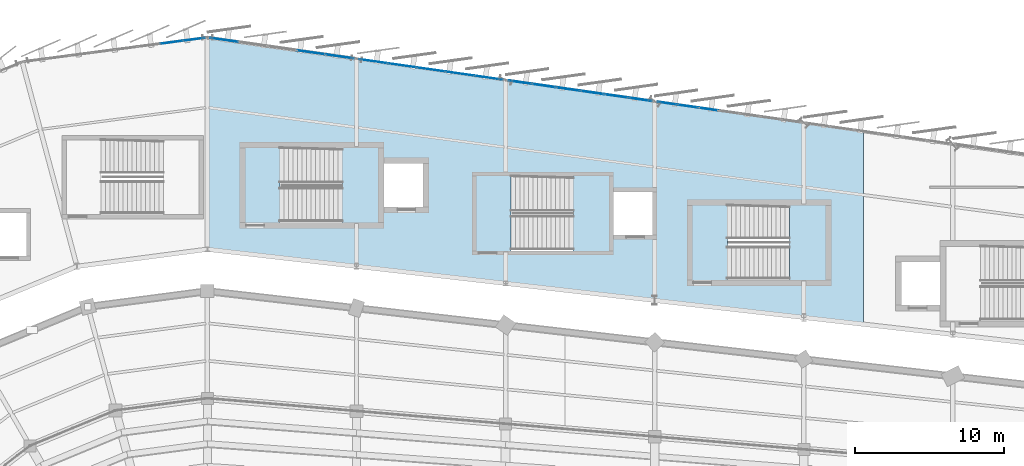
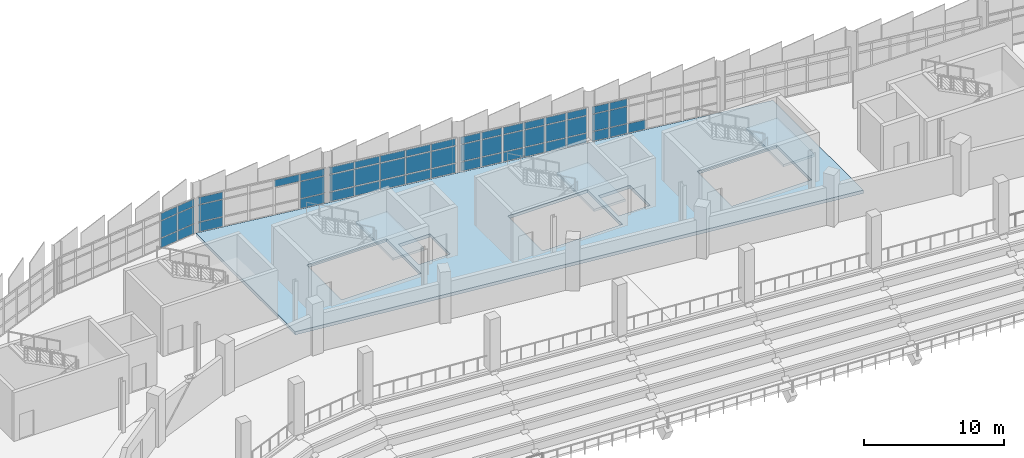
# One storey, part 95 of 134: 53 plates, 4 slabs, 8 elements without a shape of their own.
"""IFC4 building model written with IfcOpenShell, lengths in metres."""

from ifc_helpers import new_model, si_unit, direction, frame, origin, origin_2d, place, context, subcontext, project, spatial, polyline, rectangle, outline, extrude, material, layer, layer_set, type_object, element, aggregate, save


model = new_model("IFC4")

# Units and contexts
model_context = context("Model", 3, precision=1e-05, world=origin(), true_north=direction((0.0, 1.0)))
body_context = subcontext(model_context, "Body", "Model", "MODEL_VIEW")
ifc_project = project(units=[si_unit("LENGTHUNIT", "METRE"), si_unit("AREAUNIT", "SQUARE_METRE"), si_unit("VOLUMEUNIT", "CUBIC_METRE"), si_unit("PLANEANGLEUNIT", "RADIAN"), si_unit("MASSUNIT", "GRAM", prefix="KILO")], contexts=[model_context])

# Site, building, storey
site_placement = place(None, origin())
site = spatial("IfcSite", under=ifc_project, at=site_placement, CompositionType="ELEMENT")
building_placement = place(site_placement, origin())
building = spatial("IfcBuilding", under=site, at=building_placement, Name="Sohan Crest Arena", CompositionType="ELEMENT")
storey_placement = place(building_placement, frame((0.0, 0.0, 4.5)))
storey = spatial("IfcBuildingStorey", under=building, at=storey_placement, Name="L01", CompositionType="ELEMENT", Elevation=4.5)

# Curtain wall, plates
ifc_material_1 = material(Name="Thermally broken anodised aluminium", Category="aluminium")
ifc_layer_1 = layer(ifc_material_1, 0.179931640625, Name="Thermally broken anodised aluminium")
ifc_layer_set_1 = layer_set([ifc_layer_1], Name="Thermally broken anodised aluminium")
curtain_wall_type_1 = type_object("IfcCurtainWallType", Name="ARC-CW01", PredefinedType="NOTDEFINED", material=ifc_layer_set_1)
curtain_wall_1_placement = place(storey_placement, origin())
curtain_wall_1 = element("IfcCurtainWall", 1, at=curtain_wall_1_placement, inside=storey, type_object=curtain_wall_type_1, Name="Unitised curtain wall CW-020", PredefinedType="NOTDEFINED")
ifc_material_2 = material(Name="Low-E double-glazed insulated glass", Category="glass")
ifc_layer_2 = layer(ifc_material_2, 0.028076171875, Name="Low-E double-glazed insulated glass")
ifc_layer_set_2 = layer_set([ifc_layer_2], Name="Low-E double-glazed insulated glass")
plate_type_1 = type_object("IfcPlateType", Name="ARC-CNP01", PredefinedType="CURTAIN_PANEL", material=ifc_layer_set_2)
plate_1_placement = place(storey_placement, frame((97.095703125, 125.880859375, 0.06005859375), z_axis=(0.0, 0.0, 1.0), x_axis=(-0.991440142438, -0.130562031094, 0.0)))
plate_1 = element("IfcPlate", 2, at=plate_1_placement, type_object=plate_type_1, Name="CW-020 panel 1.1", PredefinedType="CURTAIN_PANEL", context=body_context, shape_type="SweptSolid", body=[
    extrude(rectangle(XDim=1.44384765625, YDim=0.028076171875, at=origin_2d()), origin(), (0.0, 0.0, 1.0), 0.81005859375),
])
plate_2_placement = place(storey_placement, frame((97.095703125, 125.880859375, 0.929931640625), z_axis=(0.0, 0.0, 1.0), x_axis=(-0.991440142438, -0.130562031094, 0.0)))
plate_2 = element("IfcPlate", 3, at=plate_2_placement, type_object=plate_type_1, Name="CW-020 panel 1.2", PredefinedType="CURTAIN_PANEL", context=body_context, shape_type="SweptSolid", body=[
    extrude(rectangle(XDim=1.44384765625, YDim=0.028076171875, at=origin_2d()), origin(), (0.0, 0.0, 1.0), 1.4599609375),
])
plate_3_placement = place(storey_placement, frame((97.095703125, 125.880859375, 2.44970703125), z_axis=(0.0, 0.0, 1.0), x_axis=(-0.991440142438, -0.130562031094, 0.0)))
plate_3 = element("IfcPlate", 4, at=plate_3_placement, type_object=plate_type_1, Name="CW-020 panel 1.3", PredefinedType="CURTAIN_PANEL", context=body_context, shape_type="SweptSolid", body=[
    extrude(rectangle(XDim=1.44384765625, YDim=0.028076171875, at=origin_2d()), origin(), (0.0, 0.0, 1.0), 0.610107421875),
])
plate_4_placement = place(storey_placement, frame((95.590087890625, 125.6826171875, 0.06005859375), z_axis=(0.0, 0.0, 1.0), x_axis=(-0.991440142438, -0.130562031094, 0.0)))
plate_4 = element("IfcPlate", 5, at=plate_4_placement, type_object=plate_type_1, Name="CW-020 panel 2.1", PredefinedType="CURTAIN_PANEL", context=body_context, shape_type="SweptSolid", body=[
    extrude(rectangle(XDim=1.4736328125, YDim=0.028076171875, at=origin_2d()), origin(), (0.0, 0.0, 1.0), 0.81005859375),
])
plate_5_placement = place(storey_placement, frame((95.590087890625, 125.6826171875, 0.929931640625), z_axis=(0.0, 0.0, 1.0), x_axis=(-0.991440142438, -0.130562031094, 0.0)))
plate_5 = element("IfcPlate", 6, at=plate_5_placement, type_object=plate_type_1, Name="CW-020 panel 2.2", PredefinedType="CURTAIN_PANEL", context=body_context, shape_type="SweptSolid", body=[
    extrude(rectangle(XDim=1.4736328125, YDim=0.028076171875, at=origin_2d()), origin(), (0.0, 0.0, 1.0), 1.4599609375),
])
plate_6_placement = place(storey_placement, frame((95.590087890625, 125.6826171875, 2.44970703125), z_axis=(0.0, 0.0, 1.0), x_axis=(-0.991440142438, -0.130562031094, 0.0)))
plate_6 = element("IfcPlate", 7, at=plate_6_placement, type_object=plate_type_1, Name="CW-020 panel 2.3", PredefinedType="CURTAIN_PANEL", context=body_context, shape_type="SweptSolid", body=[
    extrude(rectangle(XDim=1.4736328125, YDim=0.028076171875, at=origin_2d()), origin(), (0.0, 0.0, 1.0), 0.610107421875),
])
aggregate(curtain_wall_1, [plate_1, plate_2, plate_3, plate_4, plate_5, plate_6])

ifc_layer_3 = layer(ifc_material_1, 0.219970703125, Name="Thermally broken anodised aluminium")
ifc_layer_set_3 = layer_set([ifc_layer_3], Name="Thermally broken anodised aluminium")
curtain_wall_type_2 = type_object("IfcCurtainWallType", Name="ARC-CW03", PredefinedType="NOTDEFINED", material=ifc_layer_set_3)
curtain_wall_2_placement = place(storey_placement, origin())
curtain_wall_2 = element("IfcCurtainWall", 8, at=curtain_wall_2_placement, inside=storey, type_object=curtain_wall_type_2, Name="Unitised curtain wall CW-048", PredefinedType="NOTDEFINED")
plate_7_placement = place(storey_placement, frame((116.8818359375, 123.30224609375, 0.070068359375), z_axis=(0.0, 0.0, 1.0), x_axis=(-0.989945428602, 0.141449808729, 0.0)))
plate_7 = element("IfcPlate", 9, at=plate_7_placement, type_object=plate_type_1, Name="CW-048 panel 1.1", PredefinedType="CURTAIN_PANEL", context=body_context, shape_type="SweptSolid", body=[
    extrude(rectangle(XDim=1.878173828125, YDim=0.028076171875, at=origin_2d()), origin(), (0.0, 0.0, 1.0), 0.794921875),
])
plate_8_placement = place(storey_placement, frame((116.8818359375, 123.30224609375, 0.93505859375), z_axis=(0.0, 0.0, 1.0), x_axis=(-0.989945428602, 0.141449808729, 0.0)))
plate_8 = element("IfcPlate", 10, at=plate_8_placement, type_object=plate_type_1, Name="CW-048 panel 1.2", PredefinedType="CURTAIN_PANEL", context=body_context, shape_type="SweptSolid", body=[
    extrude(rectangle(XDim=1.878173828125, YDim=0.028076171875, at=origin_2d()), origin(), (0.0, 0.0, 1.0), 1.449951171875),
])
plate_9_placement = place(storey_placement, frame((116.8818359375, 123.30224609375, 2.455078125), z_axis=(0.0, 0.0, 1.0), x_axis=(-0.989945428602, 0.141449808729, 0.0)))
plate_9 = element("IfcPlate", 11, at=plate_9_placement, type_object=plate_type_1, Name="CW-048 panel 1.3", PredefinedType="CURTAIN_PANEL", context=body_context, shape_type="SweptSolid", body=[
    extrude(rectangle(XDim=1.878173828125, YDim=0.028076171875, at=origin_2d()), origin(), (0.0, 0.0, 1.0), 0.594970703125),
])
plate_10_placement = place(storey_placement, frame((114.948486328125, 123.57861328125, 0.070068359375), z_axis=(0.0, 0.0, 1.0), x_axis=(-0.989945428602, 0.141449808729, 0.0)))
plate_10 = element("IfcPlate", 12, at=plate_10_placement, type_object=plate_type_1, Name="CW-048 panel 2.1", PredefinedType="CURTAIN_PANEL", context=body_context, shape_type="SweptSolid", body=[
    extrude(rectangle(XDim=1.908203125, YDim=0.028076171875, at=origin_2d()), origin(), (0.0, 0.0, 1.0), 0.794921875),
])
plate_11_placement = place(storey_placement, frame((114.948486328125, 123.57861328125, 0.93505859375), z_axis=(0.0, 0.0, 1.0), x_axis=(-0.989945428602, 0.141449808729, 0.0)))
plate_11 = element("IfcPlate", 13, at=plate_11_placement, type_object=plate_type_1, Name="CW-048 panel 2.2", PredefinedType="CURTAIN_PANEL", context=body_context, shape_type="SweptSolid", body=[
    extrude(rectangle(XDim=1.908203125, YDim=0.028076171875, at=origin_2d()), origin(), (0.0, 0.0, 1.0), 1.449951171875),
])
plate_12_placement = place(storey_placement, frame((114.948486328125, 123.57861328125, 2.455078125), z_axis=(0.0, 0.0, 1.0), x_axis=(-0.989945428602, 0.141449808729, 0.0)))
plate_12 = element("IfcPlate", 14, at=plate_12_placement, type_object=plate_type_1, Name="CW-048 panel 2.3", PredefinedType="CURTAIN_PANEL", context=body_context, shape_type="SweptSolid", body=[
    extrude(rectangle(XDim=1.908203125, YDim=0.028076171875, at=origin_2d()), origin(), (0.0, 0.0, 1.0), 0.594970703125),
])
plate_13_placement = place(storey_placement, frame((113.0, 123.85693359375, 0.070068359375), z_axis=(0.0, 0.0, 1.0), x_axis=(-0.989945428602, 0.141449808729, 0.0)))
plate_13 = element("IfcPlate", 15, at=plate_13_placement, type_object=plate_type_1, Name="CW-048 panel 3.1", PredefinedType="CURTAIN_PANEL", context=body_context, shape_type="SweptSolid", body=[
    extrude(rectangle(XDim=1.908203125, YDim=0.028076171875, at=origin_2d()), origin(), (0.0, 0.0, 1.0), 0.794921875),
])
plate_14_placement = place(storey_placement, frame((113.0, 123.85693359375, 0.93505859375), z_axis=(0.0, 0.0, 1.0), x_axis=(-0.989945428602, 0.141449808729, 0.0)))
plate_14 = element("IfcPlate", 16, at=plate_14_placement, type_object=plate_type_1, Name="CW-048 panel 3.2", PredefinedType="CURTAIN_PANEL", context=body_context, shape_type="SweptSolid", body=[
    extrude(rectangle(XDim=1.908203125, YDim=0.028076171875, at=origin_2d()), origin(), (0.0, 0.0, 1.0), 1.449951171875),
])
plate_15_placement = place(storey_placement, frame((113.0, 123.85693359375, 2.455078125), z_axis=(0.0, 0.0, 1.0), x_axis=(-0.989945428602, 0.141449808729, 0.0)))
plate_15 = element("IfcPlate", 17, at=plate_15_placement, type_object=plate_type_1, Name="CW-048 panel 3.3", PredefinedType="CURTAIN_PANEL", context=body_context, shape_type="SweptSolid", body=[
    extrude(rectangle(XDim=1.908203125, YDim=0.028076171875, at=origin_2d()), origin(), (0.0, 0.0, 1.0), 0.594970703125),
])
plate_16_placement = place(storey_placement, frame((111.051513671875, 124.135498046875, 0.070068359375), z_axis=(0.0, 0.0, 1.0), x_axis=(-0.989945428602, 0.141449808729, 0.0)))
plate_16 = element("IfcPlate", 18, at=plate_16_placement, type_object=plate_type_1, Name="CW-048 panel 4.1", PredefinedType="CURTAIN_PANEL", context=body_context, shape_type="SweptSolid", body=[
    extrude(rectangle(XDim=1.908203125, YDim=0.028076171875, at=origin_2d()), origin(), (0.0, 0.0, 1.0), 0.794921875),
])
plate_17_placement = place(storey_placement, frame((111.051513671875, 124.135498046875, 0.93505859375), z_axis=(0.0, 0.0, 1.0), x_axis=(-0.989945428602, 0.141449808729, 0.0)))
plate_17 = element("IfcPlate", 19, at=plate_17_placement, type_object=plate_type_1, Name="CW-048 panel 4.2", PredefinedType="CURTAIN_PANEL", context=body_context, shape_type="SweptSolid", body=[
    extrude(rectangle(XDim=1.908203125, YDim=0.028076171875, at=origin_2d()), origin(), (0.0, 0.0, 1.0), 1.449951171875),
])
plate_18_placement = place(storey_placement, frame((111.051513671875, 124.135498046875, 2.455078125), z_axis=(0.0, 0.0, 1.0), x_axis=(-0.989945428602, 0.141449808729, 0.0)))
plate_18 = element("IfcPlate", 20, at=plate_18_placement, type_object=plate_type_1, Name="CW-048 panel 4.3", PredefinedType="CURTAIN_PANEL", context=body_context, shape_type="SweptSolid", body=[
    extrude(rectangle(XDim=1.908203125, YDim=0.028076171875, at=origin_2d()), origin(), (0.0, 0.0, 1.0), 0.594970703125),
])
plate_19_placement = place(storey_placement, frame((109.1181640625, 124.41162109375, 0.070068359375), z_axis=(0.0, 0.0, 1.0), x_axis=(-0.989945428602, 0.141449808729, 0.0)))
plate_19 = element("IfcPlate", 21, at=plate_19_placement, type_object=plate_type_1, Name="CW-048 panel 5.1", PredefinedType="CURTAIN_PANEL", context=body_context, shape_type="SweptSolid", body=[
    extrude(rectangle(XDim=1.878173828125, YDim=0.028076171875, at=origin_2d()), origin(), (0.0, 0.0, 1.0), 0.794921875),
])
plate_20_placement = place(storey_placement, frame((109.1181640625, 124.41162109375, 0.93505859375), z_axis=(0.0, 0.0, 1.0), x_axis=(-0.989945428602, 0.141449808729, 0.0)))
plate_20 = element("IfcPlate", 22, at=plate_20_placement, type_object=plate_type_1, Name="CW-048 panel 5.2", PredefinedType="CURTAIN_PANEL", context=body_context, shape_type="SweptSolid", body=[
    extrude(rectangle(XDim=1.878173828125, YDim=0.028076171875, at=origin_2d()), origin(), (0.0, 0.0, 1.0), 1.449951171875),
])
plate_21_placement = place(storey_placement, frame((109.1181640625, 124.41162109375, 2.455078125), z_axis=(0.0, 0.0, 1.0), x_axis=(-0.989945428602, 0.141449808729, 0.0)))
plate_21 = element("IfcPlate", 23, at=plate_21_placement, type_object=plate_type_1, Name="CW-048 panel 5.3", PredefinedType="CURTAIN_PANEL", context=body_context, shape_type="SweptSolid", body=[
    extrude(rectangle(XDim=1.878173828125, YDim=0.028076171875, at=origin_2d()), origin(), (0.0, 0.0, 1.0), 0.594970703125),
])
aggregate(curtain_wall_2, [plate_7, plate_8, plate_9, plate_10, plate_11, plate_12, plate_13, plate_14, plate_15, plate_16, plate_17, plate_18, plate_19, plate_20, plate_21])

ifc_layer_4 = layer(ifc_material_1, 0.239990234375, Name="Thermally broken anodised aluminium")
ifc_layer_set_4 = layer_set([ifc_layer_4], Name="Thermally broken anodised aluminium")
curtain_wall_type_3 = type_object("IfcCurtainWallType", Name="ARC-CW04", PredefinedType="NOTDEFINED", material=ifc_layer_set_4)
curtain_wall_3_placement = place(storey_placement, origin())
curtain_wall_3 = element("IfcCurtainWall", 24, at=curtain_wall_3_placement, inside=storey, type_object=curtain_wall_type_3, Name="Unitised curtain wall CW-049", PredefinedType="NOTDEFINED")
ifc_layer_5 = layer(ifc_material_2, 0.031982421875, Name="Low-E double-glazed insulated glass")
ifc_layer_set_5 = layer_set([ifc_layer_5], Name="Low-E double-glazed insulated glass")
plate_type_2 = type_object("IfcPlateType", Name="ARC-CNP02", PredefinedType="CURTAIN_PANEL", material=ifc_layer_set_5)
plate_22_placement = place(storey_placement, frame((106.880615234375, 124.730712890625, 0.06005859375), z_axis=(0.0, 0.0, 1.0), x_axis=(-0.989931194722, 0.141549389674, 0.0)))
plate_22 = element("IfcPlate", 25, at=plate_22_placement, type_object=plate_type_2, Name="CW-049 panel 1.1", PredefinedType="CURTAIN_PANEL", context=body_context, shape_type="SweptSolid", body=[
    extrude(rectangle(XDim=1.87060546875, YDim=0.031982421875, at=origin_2d()), origin(), (0.0, 0.0, 1.0), 0.81005859375),
])
plate_23_placement = place(storey_placement, frame((106.880615234375, 124.730712890625, 0.929931640625), z_axis=(0.0, 0.0, 1.0), x_axis=(-0.989931194722, 0.141549389674, 0.0)))
plate_23 = element("IfcPlate", 26, at=plate_23_placement, type_object=plate_type_2, Name="CW-049 panel 1.2", PredefinedType="CURTAIN_PANEL", context=body_context, shape_type="SweptSolid", body=[
    extrude(rectangle(XDim=1.87060546875, YDim=0.031982421875, at=origin_2d()), origin(), (0.0, 0.0, 1.0), 1.4599609375),
])
plate_24_placement = place(storey_placement, frame((106.880615234375, 124.730712890625, 2.44970703125), z_axis=(0.0, 0.0, 1.0), x_axis=(-0.989931194722, 0.141549389674, 0.0)))
plate_24 = element("IfcPlate", 27, at=plate_24_placement, type_object=plate_type_2, Name="CW-049 panel 1.3", PredefinedType="CURTAIN_PANEL", context=body_context, shape_type="SweptSolid", body=[
    extrude(rectangle(XDim=1.87060546875, YDim=0.031982421875, at=origin_2d()), origin(), (0.0, 0.0, 1.0), 0.610107421875),
])
plate_25_placement = place(storey_placement, frame((104.948486328125, 125.0068359375, 2.44970703125), z_axis=(0.0, 0.0, 1.0), x_axis=(-0.989931194722, 0.141549389674, 0.0)))
plate_25 = element("IfcPlate", 28, at=plate_25_placement, type_object=plate_type_2, Name="CW-049 panel 2.3", PredefinedType="CURTAIN_PANEL", context=body_context, shape_type="SweptSolid", body=[
    extrude(rectangle(XDim=1.9033203125, YDim=0.031982421875, at=origin_2d()), origin(), (0.0, 0.0, 1.0), 0.610107421875),
])
plate_26_placement = place(storey_placement, frame((99.119384765625, 125.84033203125, 0.06005859375), z_axis=(0.0, 0.0, 1.0), x_axis=(-0.989931194722, 0.141549389674, 0.0)))
plate_26 = element("IfcPlate", 29, at=plate_26_placement, type_object=plate_type_2, Name="CW-049 panel 5.1", PredefinedType="CURTAIN_PANEL", context=body_context, shape_type="SweptSolid", body=[
    extrude(rectangle(XDim=1.87060546875, YDim=0.031982421875, at=origin_2d()), origin(), (0.0, 0.0, 1.0), 0.81005859375),
])
plate_27_placement = place(storey_placement, frame((99.119384765625, 125.84033203125, 0.929931640625), z_axis=(0.0, 0.0, 1.0), x_axis=(-0.989931194722, 0.141549389674, 0.0)))
plate_27 = element("IfcPlate", 30, at=plate_27_placement, type_object=plate_type_2, Name="CW-049 panel 5.2", PredefinedType="CURTAIN_PANEL", context=body_context, shape_type="SweptSolid", body=[
    extrude(rectangle(XDim=1.87060546875, YDim=0.031982421875, at=origin_2d()), origin(), (0.0, 0.0, 1.0), 1.4599609375),
])
plate_28_placement = place(storey_placement, frame((99.119384765625, 125.84033203125, 2.44970703125), z_axis=(0.0, 0.0, 1.0), x_axis=(-0.989931194722, 0.141549389674, 0.0)))
plate_28 = element("IfcPlate", 31, at=plate_28_placement, type_object=plate_type_2, Name="CW-049 panel 5.3", PredefinedType="CURTAIN_PANEL", context=body_context, shape_type="SweptSolid", body=[
    extrude(rectangle(XDim=1.87060546875, YDim=0.031982421875, at=origin_2d()), origin(), (0.0, 0.0, 1.0), 0.610107421875),
])
aggregate(curtain_wall_3, [plate_22, plate_23, plate_24, plate_25, plate_26, plate_27, plate_28])

curtain_wall_4_placement = place(storey_placement, origin())
curtain_wall_4 = element("IfcCurtainWall", 32, at=curtain_wall_4_placement, inside=storey, type_object=curtain_wall_type_1, Name="Unitised curtain wall CW-046", PredefinedType="NOTDEFINED")
ifc_material_3 = material(Name="Ceramic-fritted solar-control insulated glass", Category="glass")
ifc_layer_6 = layer(ifc_material_3, 0.035888671875, Name="Ceramic-fritted solar-control insulated glass")
ifc_layer_set_6 = layer_set([ifc_layer_6], Name="Ceramic-fritted solar-control insulated glass")
plate_type_3 = type_object("IfcPlateType", Name="ARC-CNP03", PredefinedType="CURTAIN_PANEL", material=ifc_layer_set_6)
plate_29_placement = place(storey_placement, frame((131.6083984375, 121.198974609375, 0.06005859375), z_axis=(0.0, 0.0, 1.0), x_axis=(-0.989945428602, 0.141449808729, 0.0)))
plate_29 = element("IfcPlate", 33, at=plate_29_placement, type_object=plate_type_3, Name="CW-046 panel 5.1", PredefinedType="CURTAIN_PANEL", context=body_context, shape_type="SweptSolid", body=[
    extrude(rectangle(XDim=1.3359375, YDim=0.035888671875, at=origin_2d()), origin(), (0.0, 0.0, 1.0), 0.81005859375),
])
plate_30_placement = place(storey_placement, frame((130.216552734375, 121.397705078125, 0.06005859375), z_axis=(0.0, 0.0, 1.0), x_axis=(-0.989945428602, 0.141449808729, 0.0)))
plate_30 = element("IfcPlate", 34, at=plate_30_placement, type_object=plate_type_3, Name="CW-046 panel 6.1", PredefinedType="CURTAIN_PANEL", context=body_context, shape_type="SweptSolid", body=[
    extrude(rectangle(XDim=1.3359375, YDim=0.035888671875, at=origin_2d()), origin(), (0.0, 0.0, 1.0), 0.81005859375),
])
plate_31_placement = place(storey_placement, frame((130.216552734375, 121.397705078125, 0.929931640625), z_axis=(0.0, 0.0, 1.0), x_axis=(-0.989945428602, 0.141449808729, 0.0)))
plate_31 = element("IfcPlate", 35, at=plate_31_placement, type_object=plate_type_3, Name="CW-046 panel 6.2", PredefinedType="CURTAIN_PANEL", context=body_context, shape_type="SweptSolid", body=[
    extrude(rectangle(XDim=1.3359375, YDim=0.035888671875, at=origin_2d()), origin(), (0.0, 0.0, 1.0), 1.4599609375),
])
plate_32_placement = place(storey_placement, frame((130.216552734375, 121.397705078125, 2.44970703125), z_axis=(0.0, 0.0, 1.0), x_axis=(-0.989945428602, 0.141449808729, 0.0)))
plate_32 = element("IfcPlate", 36, at=plate_32_placement, type_object=plate_type_3, Name="CW-046 panel 6.3", PredefinedType="CURTAIN_PANEL", context=body_context, shape_type="SweptSolid", body=[
    extrude(rectangle(XDim=1.3359375, YDim=0.035888671875, at=origin_2d()), origin(), (0.0, 0.0, 1.0), 0.610107421875),
])
plate_33_placement = place(storey_placement, frame((128.84228515625, 121.593994140625, 0.06005859375), z_axis=(0.0, 0.0, 1.0), x_axis=(-0.989945428602, 0.141449808729, 0.0)))
plate_33 = element("IfcPlate", 37, at=plate_33_placement, type_object=plate_type_3, Name="CW-046 panel 7.1", PredefinedType="CURTAIN_PANEL", context=body_context, shape_type="SweptSolid", body=[
    extrude(rectangle(XDim=1.30078125, YDim=0.035888671875, at=origin_2d()), origin(), (0.0, 0.0, 1.0), 0.81005859375),
])
plate_34_placement = place(storey_placement, frame((128.84228515625, 121.593994140625, 0.929931640625), z_axis=(0.0, 0.0, 1.0), x_axis=(-0.989945428602, 0.141449808729, 0.0)))
plate_34 = element("IfcPlate", 38, at=plate_34_placement, type_object=plate_type_3, Name="CW-046 panel 7.2", PredefinedType="CURTAIN_PANEL", context=body_context, shape_type="SweptSolid", body=[
    extrude(rectangle(XDim=1.30078125, YDim=0.035888671875, at=origin_2d()), origin(), (0.0, 0.0, 1.0), 1.4599609375),
])
plate_35_placement = place(storey_placement, frame((128.84228515625, 121.593994140625, 2.44970703125), z_axis=(0.0, 0.0, 1.0), x_axis=(-0.989945428602, 0.141449808729, 0.0)))
plate_35 = element("IfcPlate", 39, at=plate_35_placement, type_object=plate_type_3, Name="CW-046 panel 7.3", PredefinedType="CURTAIN_PANEL", context=body_context, shape_type="SweptSolid", body=[
    extrude(rectangle(XDim=1.30078125, YDim=0.035888671875, at=origin_2d()), origin(), (0.0, 0.0, 1.0), 0.610107421875),
])
aggregate(curtain_wall_4, [plate_29, plate_30, plate_31, plate_32, plate_33, plate_34, plate_35])

ifc_layer_7 = layer(ifc_material_1, 0.199951171875, Name="Thermally broken anodised aluminium")
ifc_layer_set_7 = layer_set([ifc_layer_7], Name="Thermally broken anodised aluminium")
curtain_wall_type_4 = type_object("IfcCurtainWallType", Name="ARC-CW02", PredefinedType="NOTDEFINED", material=ifc_layer_set_7)
curtain_wall_5_placement = place(storey_placement, origin())
curtain_wall_5 = element("IfcCurtainWall", 40, at=curtain_wall_5_placement, inside=storey, type_object=curtain_wall_type_4, Name="Unitised curtain wall CW-047", PredefinedType="NOTDEFINED")
ifc_material_4 = material(Name="Insulated polychrome ceramic spandrel panel", Category="masonry")
ifc_layer_8 = layer(ifc_material_4, 0.0419921875, Name="Insulated polychrome ceramic spandrel panel")
ifc_layer_set_8 = layer_set([ifc_layer_8], Name="Insulated polychrome ceramic spandrel panel")
plate_type_4 = type_object("IfcPlateType", Name="ARC-CNP04", PredefinedType="CURTAIN_PANEL", material=ifc_layer_set_8)
plate_36_placement = place(storey_placement, frame((127.04052734375, 121.850830078125, 0.06494140625), z_axis=(0.0, 0.0, 1.0), x_axis=(-0.989931194722, 0.141549389674, 0.0)))
plate_36 = element("IfcPlate", 41, at=plate_36_placement, type_object=plate_type_4, Name="CW-047 panel 1.1", PredefinedType="CURTAIN_PANEL", context=body_context, shape_type="SweptSolid", body=[
    extrude(rectangle(XDim=1.527587890625, YDim=0.0419921875, at=origin_2d()), origin(), (0.0, 0.0, 1.0), 0.802490234375),
])
plate_37_placement = place(storey_placement, frame((127.04052734375, 121.850830078125, 0.932373046875), z_axis=(0.0, 0.0, 1.0), x_axis=(-0.989931194722, 0.141549389674, 0.0)))
plate_37 = element("IfcPlate", 42, at=plate_37_placement, type_object=plate_type_4, Name="CW-047 panel 1.2", PredefinedType="CURTAIN_PANEL", context=body_context, shape_type="SweptSolid", body=[
    extrude(rectangle(XDim=1.527587890625, YDim=0.0419921875, at=origin_2d()), origin(), (0.0, 0.0, 1.0), 1.455078125),
])
plate_38_placement = place(storey_placement, frame((127.04052734375, 121.850830078125, 2.452392578125), z_axis=(0.0, 0.0, 1.0), x_axis=(-0.989931194722, 0.141549389674, 0.0)))
plate_38 = element("IfcPlate", 43, at=plate_38_placement, type_object=plate_type_4, Name="CW-047 panel 1.3", PredefinedType="CURTAIN_PANEL", context=body_context, shape_type="SweptSolid", body=[
    extrude(rectangle(XDim=1.527587890625, YDim=0.0419921875, at=origin_2d()), origin(), (0.0, 0.0, 1.0), 0.6025390625),
])
plate_39_placement = place(storey_placement, frame((125.435546875, 122.080322265625, 0.06494140625), z_axis=(0.0, 0.0, 1.0), x_axis=(-0.989931194722, 0.141549389674, 0.0)))
plate_39 = element("IfcPlate", 44, at=plate_39_placement, type_object=plate_type_4, Name="CW-047 panel 2.1", PredefinedType="CURTAIN_PANEL", context=body_context, shape_type="SweptSolid", body=[
    extrude(rectangle(XDim=1.565185546875, YDim=0.0419921875, at=origin_2d()), origin(), (0.0, 0.0, 1.0), 0.802490234375),
])
plate_40_placement = place(storey_placement, frame((125.435546875, 122.080322265625, 0.932373046875), z_axis=(0.0, 0.0, 1.0), x_axis=(-0.989931194722, 0.141549389674, 0.0)))
plate_40 = element("IfcPlate", 45, at=plate_40_placement, type_object=plate_type_4, Name="CW-047 panel 2.2", PredefinedType="CURTAIN_PANEL", context=body_context, shape_type="SweptSolid", body=[
    extrude(rectangle(XDim=1.565185546875, YDim=0.0419921875, at=origin_2d()), origin(), (0.0, 0.0, 1.0), 1.455078125),
])
plate_41_placement = place(storey_placement, frame((125.435546875, 122.080322265625, 2.452392578125), z_axis=(0.0, 0.0, 1.0), x_axis=(-0.989931194722, 0.141549389674, 0.0)))
plate_41 = element("IfcPlate", 46, at=plate_41_placement, type_object=plate_type_4, Name="CW-047 panel 2.3", PredefinedType="CURTAIN_PANEL", context=body_context, shape_type="SweptSolid", body=[
    extrude(rectangle(XDim=1.565185546875, YDim=0.0419921875, at=origin_2d()), origin(), (0.0, 0.0, 1.0), 0.6025390625),
])
plate_42_placement = place(storey_placement, frame((123.811767578125, 122.3125, 0.06494140625), z_axis=(0.0, 0.0, 1.0), x_axis=(-0.989931194722, 0.141549389674, 0.0)))
plate_42 = element("IfcPlate", 47, at=plate_42_placement, type_object=plate_type_4, Name="CW-047 panel 3.1", PredefinedType="CURTAIN_PANEL", context=body_context, shape_type="SweptSolid", body=[
    extrude(rectangle(XDim=1.565185546875, YDim=0.0419921875, at=origin_2d()), origin(), (0.0, 0.0, 1.0), 0.802490234375),
])
plate_43_placement = place(storey_placement, frame((123.811767578125, 122.3125, 0.932373046875), z_axis=(0.0, 0.0, 1.0), x_axis=(-0.989931194722, 0.141549389674, 0.0)))
plate_43 = element("IfcPlate", 48, at=plate_43_placement, type_object=plate_type_4, Name="CW-047 panel 3.2", PredefinedType="CURTAIN_PANEL", context=body_context, shape_type="SweptSolid", body=[
    extrude(rectangle(XDim=1.565185546875, YDim=0.0419921875, at=origin_2d()), origin(), (0.0, 0.0, 1.0), 1.455078125),
])
plate_44_placement = place(storey_placement, frame((123.811767578125, 122.3125, 2.452392578125), z_axis=(0.0, 0.0, 1.0), x_axis=(-0.989931194722, 0.141549389674, 0.0)))
plate_44 = element("IfcPlate", 49, at=plate_44_placement, type_object=plate_type_4, Name="CW-047 panel 3.3", PredefinedType="CURTAIN_PANEL", context=body_context, shape_type="SweptSolid", body=[
    extrude(rectangle(XDim=1.565185546875, YDim=0.0419921875, at=origin_2d()), origin(), (0.0, 0.0, 1.0), 0.6025390625),
])
plate_45_placement = place(storey_placement, frame((122.188232421875, 122.544677734375, 0.06494140625), z_axis=(0.0, 0.0, 1.0), x_axis=(-0.989931194722, 0.141549389674, 0.0)))
plate_45 = element("IfcPlate", 50, at=plate_45_placement, type_object=plate_type_4, Name="CW-047 panel 4.1", PredefinedType="CURTAIN_PANEL", context=body_context, shape_type="SweptSolid", body=[
    extrude(rectangle(XDim=1.565185546875, YDim=0.0419921875, at=origin_2d()), origin(), (0.0, 0.0, 1.0), 0.802490234375),
])
plate_46_placement = place(storey_placement, frame((122.188232421875, 122.544677734375, 0.932373046875), z_axis=(0.0, 0.0, 1.0), x_axis=(-0.989931194722, 0.141549389674, 0.0)))
plate_46 = element("IfcPlate", 51, at=plate_46_placement, type_object=plate_type_4, Name="CW-047 panel 4.2", PredefinedType="CURTAIN_PANEL", context=body_context, shape_type="SweptSolid", body=[
    extrude(rectangle(XDim=1.565185546875, YDim=0.0419921875, at=origin_2d()), origin(), (0.0, 0.0, 1.0), 1.455078125),
])
plate_47_placement = place(storey_placement, frame((122.188232421875, 122.544677734375, 2.452392578125), z_axis=(0.0, 0.0, 1.0), x_axis=(-0.989931194722, 0.141549389674, 0.0)))
plate_47 = element("IfcPlate", 52, at=plate_47_placement, type_object=plate_type_4, Name="CW-047 panel 4.3", PredefinedType="CURTAIN_PANEL", context=body_context, shape_type="SweptSolid", body=[
    extrude(rectangle(XDim=1.565185546875, YDim=0.0419921875, at=origin_2d()), origin(), (0.0, 0.0, 1.0), 0.6025390625),
])
plate_48_placement = place(storey_placement, frame((120.564453125, 122.77685546875, 0.06494140625), z_axis=(0.0, 0.0, 1.0), x_axis=(-0.989931194722, 0.141549389674, 0.0)))
plate_48 = element("IfcPlate", 53, at=plate_48_placement, type_object=plate_type_4, Name="CW-047 panel 5.1", PredefinedType="CURTAIN_PANEL", context=body_context, shape_type="SweptSolid", body=[
    extrude(rectangle(XDim=1.565185546875, YDim=0.0419921875, at=origin_2d()), origin(), (0.0, 0.0, 1.0), 0.802490234375),
])
plate_49_placement = place(storey_placement, frame((120.564453125, 122.77685546875, 0.932373046875), z_axis=(0.0, 0.0, 1.0), x_axis=(-0.989931194722, 0.141549389674, 0.0)))
plate_49 = element("IfcPlate", 54, at=plate_49_placement, type_object=plate_type_4, Name="CW-047 panel 5.2", PredefinedType="CURTAIN_PANEL", context=body_context, shape_type="SweptSolid", body=[
    extrude(rectangle(XDim=1.565185546875, YDim=0.0419921875, at=origin_2d()), origin(), (0.0, 0.0, 1.0), 1.455078125),
])
plate_50_placement = place(storey_placement, frame((120.564453125, 122.77685546875, 2.452392578125), z_axis=(0.0, 0.0, 1.0), x_axis=(-0.989931194722, 0.141549389674, 0.0)))
plate_50 = element("IfcPlate", 55, at=plate_50_placement, type_object=plate_type_4, Name="CW-047 panel 5.3", PredefinedType="CURTAIN_PANEL", context=body_context, shape_type="SweptSolid", body=[
    extrude(rectangle(XDim=1.565185546875, YDim=0.0419921875, at=origin_2d()), origin(), (0.0, 0.0, 1.0), 0.6025390625),
])
plate_51_placement = place(storey_placement, frame((118.95947265625, 123.00634765625, 0.06494140625), z_axis=(0.0, 0.0, 1.0), x_axis=(-0.989931194722, 0.141549389674, 0.0)))
plate_51 = element("IfcPlate", 56, at=plate_51_placement, type_object=plate_type_4, Name="CW-047 panel 6.1", PredefinedType="CURTAIN_PANEL", context=body_context, shape_type="SweptSolid", body=[
    extrude(rectangle(XDim=1.527587890625, YDim=0.0419921875, at=origin_2d()), origin(), (0.0, 0.0, 1.0), 0.802490234375),
])
plate_52_placement = place(storey_placement, frame((118.95947265625, 123.00634765625, 0.932373046875), z_axis=(0.0, 0.0, 1.0), x_axis=(-0.989931194722, 0.141549389674, 0.0)))
plate_52 = element("IfcPlate", 57, at=plate_52_placement, type_object=plate_type_4, Name="CW-047 panel 6.2", PredefinedType="CURTAIN_PANEL", context=body_context, shape_type="SweptSolid", body=[
    extrude(rectangle(XDim=1.527587890625, YDim=0.0419921875, at=origin_2d()), origin(), (0.0, 0.0, 1.0), 1.455078125),
])
plate_53_placement = place(storey_placement, frame((118.95947265625, 123.00634765625, 2.452392578125), z_axis=(0.0, 0.0, 1.0), x_axis=(-0.989931194722, 0.141549389674, 0.0)))
plate_53 = element("IfcPlate", 58, at=plate_53_placement, type_object=plate_type_4, Name="CW-047 panel 6.3", PredefinedType="CURTAIN_PANEL", context=body_context, shape_type="SweptSolid", body=[
    extrude(rectangle(XDim=1.527587890625, YDim=0.0419921875, at=origin_2d()), origin(), (0.0, 0.0, 1.0), 0.6025390625),
])
aggregate(curtain_wall_5, [plate_36, plate_37, plate_38, plate_39, plate_40, plate_41, plate_42, plate_43, plate_44, plate_45, plate_46, plate_47, plate_48, plate_49, plate_50, plate_51, plate_52, plate_53])

# Slab
ifc_material_5 = material(Name="Concrete C40/50", Category="concrete")
ifc_layer_9 = layer(ifc_material_5, 0.27490234375, Name="Concrete C40/50")
ifc_layer_set_9 = layer_set([ifc_layer_9], Name="Concrete C40/50")
slab_type_1 = type_object("IfcSlabType", Name="SL-FLR4", PredefinedType="FLOOR", material=ifc_layer_set_9)
slab_1_placement = place(storey_placement, frame((0.0, 0.0, -0.27490234375)))
element("IfcSlab", 59, at=slab_1_placement, inside=storey, type_object=slab_type_1, Name="Concourse ring L01 sector 3 SL-L01-V2S3", PredefinedType="FLOOR", context=body_context, shape_type="SweptSolid", body=[
    extrude(outline(polyline([(98.0, 126.0), (142.0, 119.714111328125), (142.0, 106.77197265625), (98.0, 111.800048828125), (98.0, 126.0)]), holes=[polyline([(102.8701171875, 113.60009765625), (109.449951171875, 113.60009765625), (109.449951171875, 118.60009765625), (102.8701171875, 118.60009765625), (102.8701171875, 113.60009765625)]), polyline([(109.85009765625, 117.550048828125), (109.85009765625, 114.64990234375), (112.449951171875, 114.64990234375), (112.449951171875, 117.550048828125), (109.85009765625, 117.550048828125)]), polyline([(118.3701171875, 111.699951171875), (124.949951171875, 111.699951171875), (124.949951171875, 116.699951171875), (118.3701171875, 116.699951171875), (118.3701171875, 111.699951171875)]), polyline([(125.25, 115.64990234375), (125.25, 112.75), (127.85009765625, 112.75), (127.85009765625, 115.64990234375), (125.25, 115.64990234375)]), polyline([(132.8701171875, 114.75), (132.8701171875, 109.75), (139.449951171875, 109.75), (139.449951171875, 114.75), (132.8701171875, 114.75)])]), origin(), (0.0, 0.0, 1.0), 0.27490234375),
])

# Stair, slab
stair_type_1 = type_object("IfcStairType", Name="ST-450", PredefinedType="TWO_STRAIGHT_RUN_STAIR", material=ifc_material_5)
stair_1_placement = place(storey_placement, origin())
stair_1 = element("IfcStair", 60, at=stair_1_placement, inside=storey, type_object=stair_type_1, Name="Protected exit stair ST06-L01", PredefinedType="TWO_STRAIGHT_RUN_STAIR")
ifc_layer_10 = layer(ifc_material_5, 0.199951171875, Name="Concrete C40/50")
ifc_layer_set_10 = layer_set([ifc_layer_10], Name="Concrete C40/50")
slab_type_2 = type_object("IfcSlabType", Name="SL-LND1", PredefinedType="LANDING", material=ifc_layer_set_10)
slab_2_placement = place(storey_placement, frame((0.0, 0.0, 2.050048828125)))
slab_2 = element("IfcSlab", 61, at=slab_2_placement, type_object=slab_type_2, Name="ST06-L01 landing 1", PredefinedType="LANDING", context=body_context, shape_type="SweptSolid", body=[
    extrude(outline(polyline([(107.030029296875, 113.449951171875), (109.60009765625, 113.449951171875), (109.60009765625, 118.75), (107.030029296875, 118.75), (107.030029296875, 113.449951171875)])), origin(), (0.0, 0.0, 1.0), 0.199951171875),
])
aggregate(stair_1, [slab_2])

stair_2_placement = place(storey_placement, origin())
stair_2 = element("IfcStair", 62, at=stair_2_placement, inside=storey, type_object=stair_type_1, Name="Protected exit stair ST08-L01", PredefinedType="TWO_STRAIGHT_RUN_STAIR")
slab_3_placement = place(storey_placement, frame((0.0, 0.0, 2.050048828125)))
slab_3 = element("IfcSlab", 63, at=slab_3_placement, type_object=slab_type_2, Name="ST08-L01 landing 1", PredefinedType="LANDING", context=body_context, shape_type="SweptSolid", body=[
    extrude(outline(polyline([(122.530029296875, 111.550048828125), (125.10009765625, 111.550048828125), (125.10009765625, 116.85009765625), (122.530029296875, 116.85009765625), (122.530029296875, 111.550048828125)])), origin(), (0.0, 0.0, 1.0), 0.199951171875),
])
aggregate(stair_2, [slab_3])

stair_type_2 = type_object("IfcStairType", Name="ST-450W", PredefinedType="TWO_STRAIGHT_RUN_STAIR", material=ifc_material_5)
stair_3_placement = place(storey_placement, origin())
stair_3 = element("IfcStair", 64, at=stair_3_placement, inside=storey, type_object=stair_type_2, Name="Protected exit stair ST22-L01", PredefinedType="TWO_STRAIGHT_RUN_STAIR")
slab_4_placement = place(storey_placement, frame((0.0, 0.0, 2.050048828125)))
slab_4 = element("IfcSlab", 65, at=slab_4_placement, type_object=slab_type_2, Name="ST22-L01 landing 1", PredefinedType="LANDING", context=body_context, shape_type="SweptSolid", body=[
    extrude(outline(polyline([(137.030029296875, 109.60009765625), (139.60009765625, 109.60009765625), (139.60009765625, 114.89990234375), (137.030029296875, 114.89990234375), (137.030029296875, 109.60009765625)])), origin(), (0.0, 0.0, 1.0), 0.199951171875),
])
aggregate(stair_3, [slab_4])

save(model, "model.ifc")
